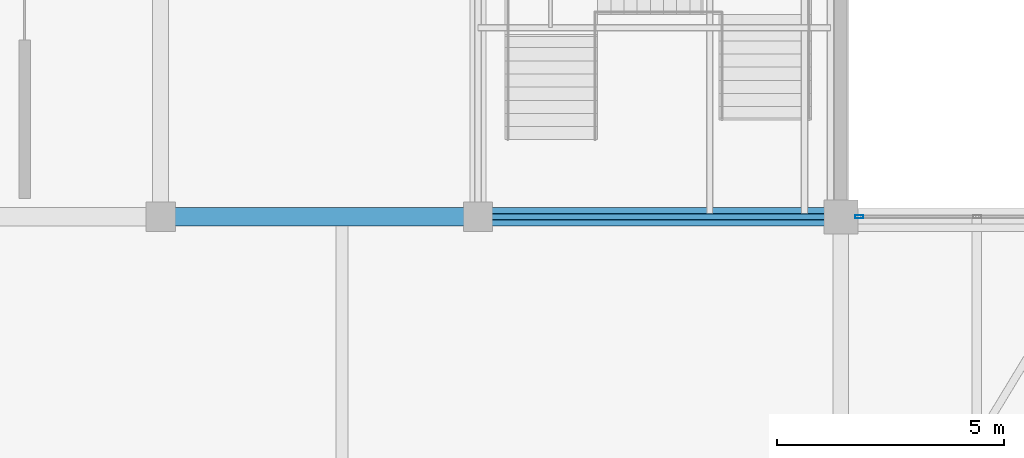
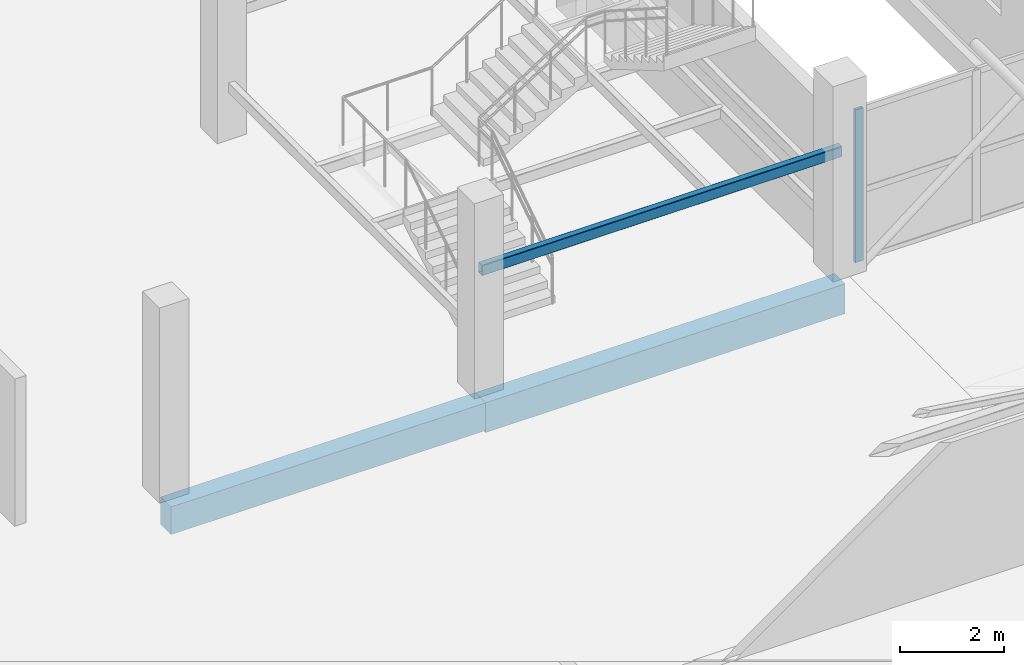
# One storey, part 30 of 69: 3 beams, 1 member, 1 element without a shape of its own.
"""IFC4 building model written with IfcOpenShell, lengths in metres."""

from ifc_helpers import new_model, si_unit, direction, frame, origin, origin_2d, place, context, subcontext, project, spatial, rectangle, hollow_rectangle, extrude, material, layer, layer_set, material_profile, profile_set, type_object, element, aggregate, save


model = new_model("IFC4")

# Units and contexts
model_context = context("Model", 3, precision=1e-05, world=origin(), true_north=direction((0.0, 1.0)))
body_context = subcontext(model_context, "Body", "Model", "MODEL_VIEW")
ifc_project = project(units=[si_unit("LENGTHUNIT", "METRE"), si_unit("AREAUNIT", "SQUARE_METRE"), si_unit("VOLUMEUNIT", "CUBIC_METRE"), si_unit("PLANEANGLEUNIT", "RADIAN"), si_unit("MASSUNIT", "GRAM", prefix="KILO")], contexts=[model_context])

# Site, building, storey
site_placement = place(None, origin())
site = spatial("IfcSite", under=ifc_project, at=site_placement, CompositionType="ELEMENT")
building_placement = place(site_placement, origin())
building = spatial("IfcBuilding", under=site, at=building_placement, Name="Sillaruma Civic Art Gallery", CompositionType="ELEMENT")
storey_placement = place(building_placement, frame((0.0, 0.0, 42.330078125)))
storey = spatial("IfcBuildingStorey", under=building, at=storey_placement, Name="L08", CompositionType="ELEMENT", Elevation=42.330078125)

# Beams
ifc_material_1 = material(Name="Concrete H35 (35 MPa)", Category="concrete")
ifc_material_profile_1 = material_profile(ifc_material_1, rectangle(XDim=0.39990234375, YDim=0.64990234375, at=origin_2d()), Name="RCB400x650")
ifc_profile_set_1 = profile_set([ifc_material_profile_1], Name="Concrete H35 (35 MPa)")
beam_type_1 = type_object("IfcBeamType", Name="BM-BEAM-RCB400x650", PredefinedType="BEAM", material=ifc_profile_set_1)
beam_1_placement = place(storey_placement, frame((77.0, 79.199951171875, -0.60498046875), z_axis=(1.0, 0.0, 0.0), x_axis=(0.0, 1.0, 0.0)))
element("IfcBeam", 1, at=beam_1_placement, inside=storey, type_object=beam_type_1, Name="Beam BM-05 (L07:9:H-J)", PredefinedType="BEAM", context=body_context, shape_type="SweptSolid", body=[
    extrude(rectangle(XDim=0.39990234375, YDim=0.64990234375, at=origin_2d()), origin(), (0.0, 0.0, 1.0), 7.0),
])
ifc_material_profile_2 = material_profile(ifc_material_1, rectangle(XDim=0.39990234375, YDim=0.699951171875, at=origin_2d()), Name="RCB400x700")
ifc_profile_set_2 = profile_set([ifc_material_profile_2], Name="Concrete H35 (35 MPa)")
beam_type_2 = type_object("IfcBeamType", Name="BM-BEAM-RCB400x700", PredefinedType="BEAM", material=ifc_profile_set_2)
beam_2_placement = place(storey_placement, frame((84.0, 79.199951171875, -0.630126953125), z_axis=(1.0, 0.0, 0.0), x_axis=(0.0, 1.0, 0.0)))
element("IfcBeam", 2, at=beam_2_placement, inside=storey, type_object=beam_type_2, Name="Beam BM-04 (L07:9:J-K)", PredefinedType="BEAM", context=body_context, shape_type="SweptSolid", body=[
    extrude(rectangle(XDim=0.39990234375, YDim=0.699951171875, at=origin_2d()), origin(), (0.0, 0.0, 1.0), 8.0),
])
ifc_material_2 = material(Name="Structural Steel ASTM A500 Gr.C", Category="steel")
ifc_material_profile_3 = material_profile(ifc_material_2, hollow_rectangle(XDim=0.14990234375, YDim=0.25, WallThickness=0.010009765625, InnerFilletRadius=0.010009765625, OuterFilletRadius=0.02001953125, at=origin_2d()), Name="HSS250x150x10")
ifc_profile_set_3 = profile_set([ifc_material_profile_3], Name="Structural Steel ASTM A500 Gr.C")
beam_type_3 = type_object("IfcBeamType", Name="BM-LND-HSS200", PredefinedType="BEAM", material=ifc_profile_set_3)
beam_3_placement = place(storey_placement, frame((84.0, 79.199951171875, 2.75), z_axis=(1.0, 0.0, 0.0), x_axis=(0.0, 1.0, 0.0)))
element("IfcBeam", 3, at=beam_3_placement, inside=storey, type_object=beam_type_3, Name="Feature Stair L2 Rail (ST-G05-S)", PredefinedType="BEAM", context=body_context, shape_type="SweptSolid", body=[
    extrude(hollow_rectangle(XDim=0.14990234375, YDim=0.25, WallThickness=0.010009765625, InnerFilletRadius=0.010009765625, OuterFilletRadius=0.02001953125, at=origin_2d()), origin(), (0.0, 0.0, 1.0), 8.0),
])

# Curtain wall, member
ifc_material_3 = material(Name="Thermally Broken Extruded Aluminium 6063-T6", Category="aluminium")
ifc_layer = layer(ifc_material_3, 0.179931640625, Name="Thermally Broken Extruded Aluminium 6063-T6")
ifc_layer_set = layer_set([ifc_layer], Name="Thermally Broken Extruded Aluminium 6063-T6")
curtain_wall_type = type_object("IfcCurtainWallType", Name="CW-UNI-60", PredefinedType="NOTDEFINED", material=ifc_layer_set)
curtain_wall_placement = place(storey_placement, origin())
curtain_wall = element("IfcCurtainWall", 4, at=curtain_wall_placement, inside=storey, type_object=curtain_wall_type, Name="Unitised Curtain Wall CW-60 (CW-BRG-N-L08-N)", PredefinedType="NOTDEFINED")
ifc_material_profile_4 = material_profile(ifc_material_3, hollow_rectangle(XDim=0.070068359375, YDim=0.179931640625, WallThickness=0.00390625, at=origin_2d()), Name="CWM70x180")
ifc_profile_set_4 = profile_set([ifc_material_profile_4], Name="Thermally Broken Extruded Aluminium 6063-T6")
member_type = type_object("IfcMemberType", Name="MEM-MUL-CWM70x180", PredefinedType="MULLION", material=ifc_profile_set_4)
member_placement = place(storey_placement, frame((92.409912109375, 79.199951171875, 0.0), z_axis=(0.0, 0.0, 1.0), x_axis=(0.0, 1.0, 0.0)))
member = element("IfcMember", 5, at=member_placement, type_object=member_type, Name="CW-60 mullion 1", PredefinedType="MULLION", context=body_context, shape_type="SweptSolid", body=[
    extrude(hollow_rectangle(XDim=0.070068359375, YDim=0.179931640625, WallThickness=0.00390625, at=origin_2d()), origin(), (0.0, 0.0, 1.0), 3.58984375),
])
aggregate(curtain_wall, [member])

save(model, "model.ifc")
